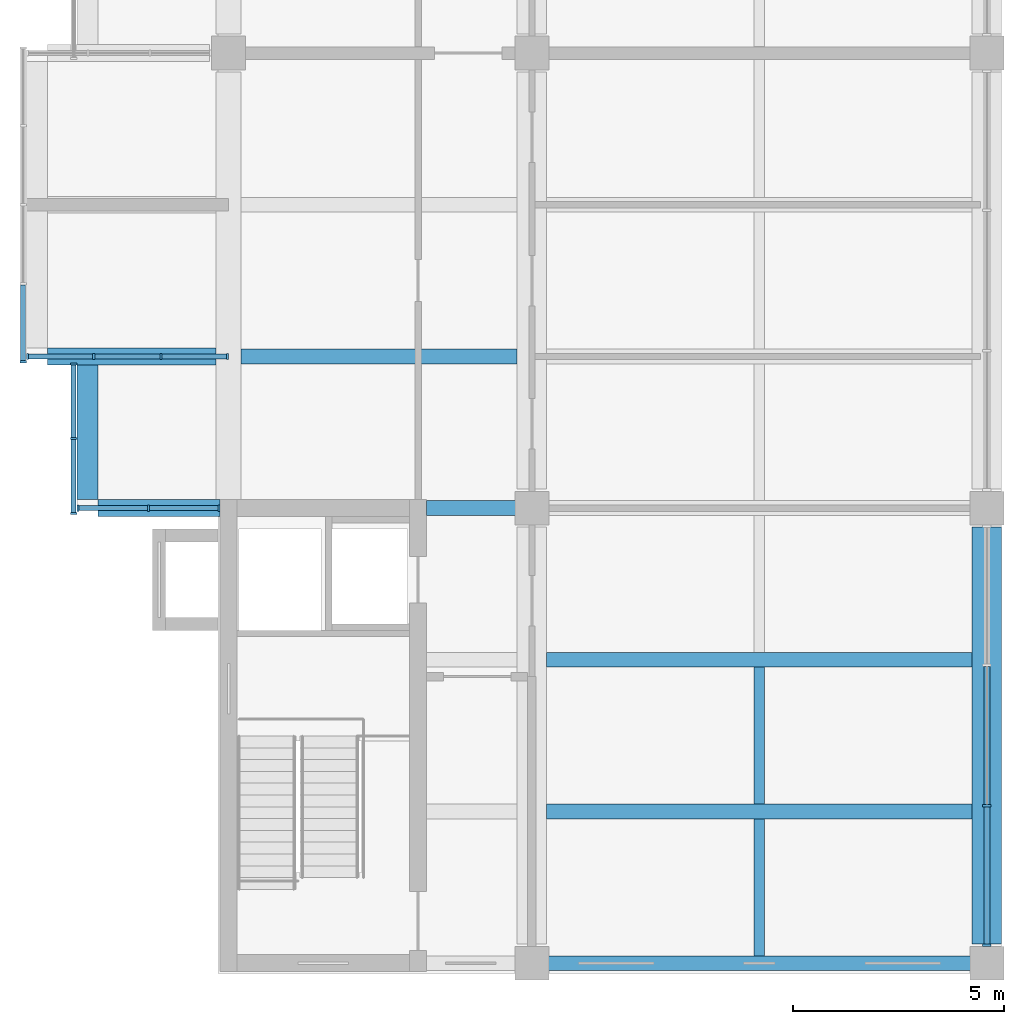
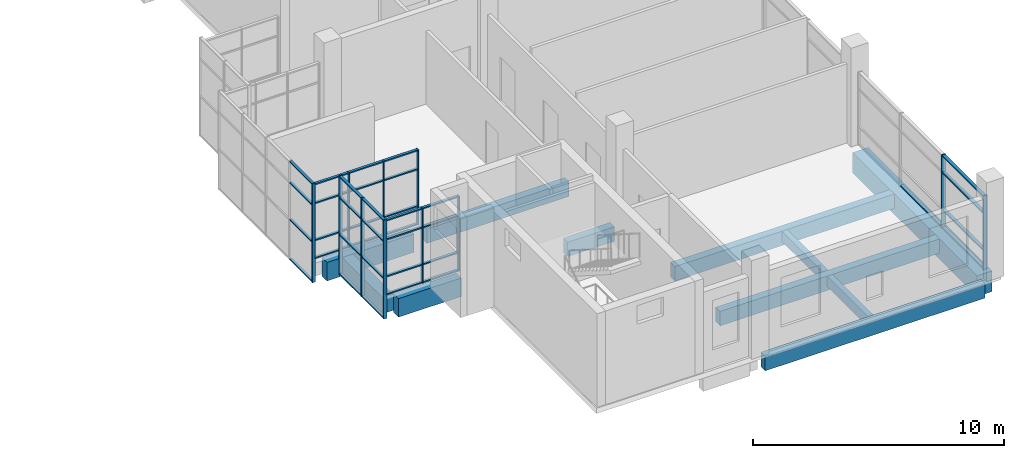
# One storey, part 2 of 14: 50 members, 11 beams, 5 elements without a shape of their own.
"""IFC4 building model written with IfcOpenShell, lengths in metres."""

from ifc_helpers import new_model, si_unit, direction, frame, origin, origin_2d, place, context, subcontext, project, spatial, rectangle, extrude, material, layer, layer_set, material_profile, profile_set, type_object, element, aggregate, save


model = new_model("IFC4")

# Units and contexts
model_context = context("Model", 3, precision=1e-05, world=origin(), true_north=direction((0.0, 1.0)))
body_context = subcontext(model_context, "Body", "Model", "MODEL_VIEW")
ifc_project = project(units=[si_unit("LENGTHUNIT", "METRE"), si_unit("AREAUNIT", "SQUARE_METRE"), si_unit("VOLUMEUNIT", "CUBIC_METRE"), si_unit("PLANEANGLEUNIT", "RADIAN"), si_unit("MASSUNIT", "GRAM", prefix="KILO")], contexts=[model_context])

# Site, building, storey
site_placement = place(None, origin())
site = spatial("IfcSite", under=ifc_project, at=site_placement, CompositionType="ELEMENT")
building_placement = place(site_placement, origin())
building = spatial("IfcBuilding", under=site, at=building_placement, Name="Basin Gate Institute", CompositionType="ELEMENT")
storey_placement = place(building_placement, frame((0.0, 0.0, 60.60009765625)))
storey = spatial("IfcBuildingStorey", under=building, at=storey_placement, Name="L12", CompositionType="ELEMENT", Elevation=60.60009765625)

# Beams
ifc_material_1 = material(Name="Concrete 40 MPa", Category="concrete")
ifc_material_profile_1 = material_profile(ifc_material_1, rectangle(XDim=0.35009765625, YDim=0.699951171875, at=origin_2d()), Name="Beam B1 350 x 700")
ifc_profile_set_1 = profile_set([ifc_material_profile_1], Name="Concrete 40 MPa")
beam_type_1 = type_object("IfcBeamType", Name="Beam B1 R120", PredefinedType="BEAM", material=ifc_profile_set_1)
for number, where, z_axis, x_axis, name in (
    (1, (68.75, 35.10009765625, -0.60009765625), (1.0, 0.0, 0.0), (0.0, 1.0, 0.0), "BEAM/L12/W/EW/01"),
    (2, (68.75, 38.699951171875, -0.60009765625), (1.0, 0.0, 0.0), (0.0, 1.0, 0.0), "BEAM/L12/W/EW/02"),
    (3, (68.75, 42.300048828125, -0.60009765625), (1.0, 0.0, 0.0), (0.0, 1.0, 0.0), "BEAM/L12/W/EW/03"),
):
    element("IfcBeam", number, at=place(storey_placement, frame(where, z_axis=z_axis, x_axis=x_axis)), inside=storey, type_object=beam_type_1, material=ifc_profile_set_1, Name=name, PredefinedType="BEAM", context=body_context, shape_type="SweptSolid", body=[
        extrude(rectangle(XDim=0.35009765625, YDim=0.699951171875, at=origin_2d()), origin(), (0.0, 0.0, 1.0), 10.10009765625),
    ])
beam_1_placement = place(storey_placement, frame((65.89990234375, 45.89990234375, -0.60009765625), z_axis=(1.0, 0.0, 0.0), x_axis=(0.0, 1.0, 0.0)))
element("IfcBeam", 4, at=beam_1_placement, inside=storey, type_object=beam_type_1, material=ifc_profile_set_1, Name="BEAM/L12/W/CORR/04", PredefinedType="BEAM", context=body_context, shape_type="SweptSolid", body=[
    extrude(rectangle(XDim=0.35009765625, YDim=0.699951171875, at=origin_2d()), origin(), (0.0, 0.0, 1.0), 2.150146484375),
])
beam_2_placement = place(storey_placement, frame((61.5, 49.5, -0.60009765625), z_axis=(1.0, 0.0, 0.0), x_axis=(0.0, 1.0, 0.0)))
element("IfcBeam", 5, at=beam_2_placement, inside=storey, type_object=beam_type_1, material=ifc_profile_set_1, Name="BEAM/L12/W/OUT/05", PredefinedType="BEAM", context=body_context, shape_type="SweptSolid", body=[
    extrude(rectangle(XDim=0.35009765625, YDim=0.699951171875, at=origin_2d()), origin(), (0.0, 0.0, 1.0), 6.550048828125),
])
ifc_material_2 = material(Name="Concrete 50 MPa", Category="concrete")
ifc_material_profile_2 = material_profile(ifc_material_2, rectangle(XDim=0.39990234375, YDim=0.89990234375, at=origin_2d()), Name="Cantilever beam B3 400 x 900")
ifc_profile_set_2 = profile_set([ifc_material_profile_2], Name="Concrete 50 MPa")
beam_type_2 = type_object("IfcBeamType", Name="Cantilever beam B3 R120", PredefinedType="BEAM", material=ifc_profile_set_2)
beam_3_placement = place(storey_placement, frame((58.10009765625, 45.89990234375, -0.7001953125), z_axis=(1.0, 0.0, 0.0), x_axis=(0.0, 1.0, 0.0)))
element("IfcBeam", 6, at=beam_3_placement, inside=storey, type_object=beam_type_2, material=ifc_profile_set_2, Name="BEAM/L12/W/CANT/04", PredefinedType="BEAM", context=body_context, shape_type="SweptSolid", body=[
    extrude(rectangle(XDim=0.39990234375, YDim=0.89990234375, at=origin_2d()), origin(), (0.0, 0.0, 1.0), 2.89990234375),
])
beam_4_placement = place(storey_placement, frame((56.89990234375, 49.5, -0.7001953125), z_axis=(1.0, 0.0, 0.0), x_axis=(0.0, 1.0, 0.0)))
element("IfcBeam", 7, at=beam_4_placement, inside=storey, type_object=beam_type_2, material=ifc_profile_set_2, Name="BEAM/L12/W/CANT/05", PredefinedType="BEAM", context=body_context, shape_type="SweptSolid", body=[
    extrude(rectangle(XDim=0.39990234375, YDim=0.89990234375, at=origin_2d()), origin(), (0.0, 0.0, 1.0), 4.0),
])
ifc_material_3 = material(Name="Concrete 50 MPa", Category="concrete")
ifc_material_profile_3 = material_profile(ifc_material_3, rectangle(XDim=0.699951171875, YDim=1.0, at=origin_2d()), Name="Girder G1 700 x 1000")
ifc_profile_set_3 = profile_set([ifc_material_profile_3], Name="Concrete 50 MPa")
beam_type_3 = type_object("IfcBeamType", Name="Girder G1 R120", PredefinedType="BEAM", material=ifc_profile_set_3)
beam_5_placement = place(storey_placement, frame((79.199951171875, 35.550048828125, -0.75), z_axis=(0.0, 1.0, 0.0), x_axis=(-1.0, 0.0, 0.0)))
element("IfcBeam", 8, at=beam_5_placement, inside=storey, type_object=beam_type_3, material=ifc_profile_set_3, Name="GIR/L12/W6/1", PredefinedType="BEAM", context=body_context, shape_type="SweptSolid", body=[
    extrude(rectangle(XDim=0.699951171875, YDim=1.0, at=origin_2d()), origin(), (0.0, 0.0, 1.0), 9.89990234375),
])

# Curtain wall, members
ifc_material_4 = material(Name="Aluminium-framed glazing", Category="aluminium")
ifc_layer_1 = layer(ifc_material_4, 0.14990234375)
ifc_layer_set_1 = layer_set([ifc_layer_1], Name="Capsule front curtain wall CW1")
curtain_wall_type_1 = type_object("IfcCurtainWallType", Name="Capsule front curtain wall CW1", PredefinedType="NOTDEFINED", material=ifc_layer_set_1)
curtain_wall_1_placement = place(storey_placement, origin())
curtain_wall_1 = element("IfcCurtainWall", 9, at=curtain_wall_1_placement, inside=storey, type_object=curtain_wall_type_1, material=ifc_layer_set_1, Name="Capsule front curtain wall W wing capsule end L12 line 4", PredefinedType="NOTDEFINED")
ifc_material_5 = material(Name="Aluminium", Category="aluminium")
ifc_material_profile_4 = material_profile(ifc_material_5, rectangle(XDim=0.14990234375, YDim=0.050048828125, at=origin_2d()), Name="Mullion MU1 150 x 50")
ifc_profile_set_4 = profile_set([ifc_material_profile_4], Name="Aluminium")
member_type_1 = type_object("IfcMemberType", Name="Mullion MU1", PredefinedType="MULLION", material=ifc_profile_set_4)
member_1_placement = place(storey_placement, frame((57.625, 45.89990234375, 0.0), z_axis=(0.0, 0.0, 1.0), x_axis=(0.0, 1.0, 0.0)))
member_1 = element("IfcMember", 10, at=member_1_placement, type_object=member_type_1, material=ifc_profile_set_4, Name="CW1 mullion 1", PredefinedType="MULLION", context=body_context, shape_type="SweptSolid", body=[
    extrude(rectangle(XDim=0.14990234375, YDim=0.050048828125, at=origin_2d()), origin(), (0.0, 0.0, 1.0), 3.64990234375),
])
member_2_placement = place(storey_placement, frame((59.300048828125, 45.89990234375, 0.0), z_axis=(0.0, 0.0, 1.0), x_axis=(0.0, 1.0, 0.0)))
member_2 = element("IfcMember", 11, at=member_2_placement, type_object=member_type_1, material=ifc_profile_set_4, Name="CW1 mullion 2", PredefinedType="MULLION", context=body_context, shape_type="SweptSolid", body=[
    extrude(rectangle(XDim=0.14990234375, YDim=0.050048828125, at=origin_2d()), origin(), (0.0, 0.0, 1.0), 3.64990234375),
])
member_3_placement = place(storey_placement, frame((60.97509765625, 45.89990234375, 0.0), z_axis=(0.0, 0.0, 1.0), x_axis=(0.0, 1.0, 0.0)))
member_3 = element("IfcMember", 12, at=member_3_placement, type_object=member_type_1, material=ifc_profile_set_4, Name="CW1 mullion 3", PredefinedType="MULLION", context=body_context, shape_type="SweptSolid", body=[
    extrude(rectangle(XDim=0.14990234375, YDim=0.050048828125, at=origin_2d()), origin(), (0.0, 0.0, 1.0), 3.64990234375),
])

curtain_wall_2_placement = place(storey_placement, origin())
curtain_wall_2 = element("IfcCurtainWall", 13, at=curtain_wall_2_placement, inside=storey, type_object=curtain_wall_type_1, material=ifc_layer_set_1, Name="Capsule front curtain wall W wing capsule end L12 line 5", PredefinedType="NOTDEFINED")
member_4_placement = place(storey_placement, frame((56.425048828125, 49.5, 0.0), z_axis=(0.0, 0.0, 1.0), x_axis=(0.0, 1.0, 0.0)))
member_4 = element("IfcMember", 14, at=member_4_placement, type_object=member_type_1, material=ifc_profile_set_4, Name="CW1 mullion 1", PredefinedType="MULLION", context=body_context, shape_type="SweptSolid", body=[
    extrude(rectangle(XDim=0.14990234375, YDim=0.050048828125, at=origin_2d()), origin(), (0.0, 0.0, 1.0), 3.64990234375),
])
member_5_placement = place(storey_placement, frame((58.0, 49.5, 0.0), z_axis=(0.0, 0.0, 1.0), x_axis=(0.0, 1.0, 0.0)))
member_5 = element("IfcMember", 15, at=member_5_placement, type_object=member_type_1, material=ifc_profile_set_4, Name="CW1 mullion 2", PredefinedType="MULLION", context=body_context, shape_type="SweptSolid", body=[
    extrude(rectangle(XDim=0.14990234375, YDim=0.050048828125, at=origin_2d()), origin(), (0.0, 0.0, 1.0), 3.64990234375),
])
member_6_placement = place(storey_placement, frame((59.60009765625, 49.5, 0.0), z_axis=(0.0, 0.0, 1.0), x_axis=(0.0, 1.0, 0.0)))
member_6 = element("IfcMember", 16, at=member_6_placement, type_object=member_type_1, material=ifc_profile_set_4, Name="CW1 mullion 3", PredefinedType="MULLION", context=body_context, shape_type="SweptSolid", body=[
    extrude(rectangle(XDim=0.14990234375, YDim=0.050048828125, at=origin_2d()), origin(), (0.0, 0.0, 1.0), 3.64990234375),
])
member_7_placement = place(storey_placement, frame((61.175048828125, 49.5, 0.0), z_axis=(0.0, 0.0, 1.0), x_axis=(0.0, 1.0, 0.0)))
member_7 = element("IfcMember", 17, at=member_7_placement, type_object=member_type_1, material=ifc_profile_set_4, Name="CW1 mullion 4", PredefinedType="MULLION", context=body_context, shape_type="SweptSolid", body=[
    extrude(rectangle(XDim=0.14990234375, YDim=0.050048828125, at=origin_2d()), origin(), (0.0, 0.0, 1.0), 3.64990234375),
])

curtain_wall_3_placement = place(storey_placement, origin())
curtain_wall_3 = element("IfcCurtainWall", 18, at=curtain_wall_3_placement, inside=storey, type_object=curtain_wall_type_1, material=ifc_layer_set_1, Name="Capsule front curtain wall W wing capsule 1 L12 front 1", PredefinedType="NOTDEFINED")
member_8_placement = place(storey_placement, frame((57.52490234375, 45.77490234375, -1.050048828125), z_axis=(0.0, 0.0, 1.0), x_axis=(-1.0, 0.0, 0.0)))
member_8 = element("IfcMember", 19, at=member_8_placement, type_object=member_type_1, material=ifc_profile_set_4, Name="CW1 mullion 1", PredefinedType="MULLION", context=body_context, shape_type="SweptSolid", body=[
    extrude(rectangle(XDim=0.14990234375, YDim=0.050048828125, at=origin_2d()), origin(), (0.0, 0.0, 1.0), 4.800048828125),
])
member_9_placement = place(storey_placement, frame((57.52490234375, 47.550048828125, -1.050048828125), z_axis=(0.0, 0.0, 1.0), x_axis=(-1.0, 0.0, 0.0)))
member_9 = element("IfcMember", 20, at=member_9_placement, type_object=member_type_1, material=ifc_profile_set_4, Name="CW1 mullion 2", PredefinedType="MULLION", context=body_context, shape_type="SweptSolid", body=[
    extrude(rectangle(XDim=0.14990234375, YDim=0.050048828125, at=origin_2d()), origin(), (0.0, 0.0, 1.0), 4.800048828125),
])
member_10_placement = place(storey_placement, frame((57.52490234375, 49.324951171875, -1.050048828125), z_axis=(0.0, 0.0, 1.0), x_axis=(-1.0, 0.0, 0.0)))
member_10 = element("IfcMember", 21, at=member_10_placement, type_object=member_type_1, material=ifc_profile_set_4, Name="CW1 mullion 3", PredefinedType="MULLION", context=body_context, shape_type="SweptSolid", body=[
    extrude(rectangle(XDim=0.14990234375, YDim=0.050048828125, at=origin_2d()), origin(), (0.0, 0.0, 1.0), 4.800048828125),
])

# Curtain wall, member
curtain_wall_4_placement = place(storey_placement, origin())
curtain_wall_4 = element("IfcCurtainWall", 22, at=curtain_wall_4_placement, inside=storey, type_object=curtain_wall_type_1, material=ifc_layer_set_1, Name="Capsule front curtain wall W wing capsule 1 L12 front 2", PredefinedType="NOTDEFINED")
member_11_placement = place(storey_placement, frame((56.324951171875, 49.375, -1.050048828125), z_axis=(0.0, 0.0, 1.0), x_axis=(-1.0, 0.0, 0.0)))
member_11 = element("IfcMember", 23, at=member_11_placement, type_object=member_type_1, material=ifc_profile_set_4, Name="CW1 mullion 1", PredefinedType="MULLION", context=body_context, shape_type="SweptSolid", body=[
    extrude(rectangle(XDim=0.14990234375, YDim=0.050048828125, at=origin_2d()), origin(), (0.0, 0.0, 1.0), 4.800048828125),
])

# Curtain wall, members
ifc_material_6 = material(Name="Aluminium-framed glazing", Category="aluminium")
ifc_layer_2 = layer(ifc_material_6, 0.199951171875)
ifc_layer_set_2 = layer_set([ifc_layer_2], Name="Atrium curtain wall CW2")
curtain_wall_type_2 = type_object("IfcCurtainWallType", Name="Atrium curtain wall CW2", PredefinedType="NOTDEFINED", material=ifc_layer_set_2)
curtain_wall_5_placement = place(storey_placement, origin())
curtain_wall_5 = element("IfcCurtainWall", 24, at=curtain_wall_5_placement, inside=storey, type_object=curtain_wall_type_2, material=ifc_layer_set_2, Name="Atrium curtain wall W wing atrium bay 1 L12", PredefinedType="NOTDEFINED")
ifc_material_7 = material(Name="Aluminium", Category="aluminium")
ifc_material_profile_5 = material_profile(ifc_material_7, rectangle(XDim=0.199951171875, YDim=0.06005859375, at=origin_2d()), Name="Mullion MU2 200 x 60")
ifc_profile_set_5 = profile_set([ifc_material_profile_5], Name="Aluminium")
member_type_2 = type_object("IfcMemberType", Name="Mullion MU2", PredefinedType="MULLION", material=ifc_profile_set_5)
member_12_placement = place(storey_placement, frame((79.199951171875, 35.530029296875, 0.0), z_axis=(0.0, 0.0, 1.0), x_axis=(-1.0, 0.0, 0.0)))
member_12 = element("IfcMember", 25, at=member_12_placement, type_object=member_type_2, material=ifc_profile_set_5, Name="CW2 mullion 1", PredefinedType="MULLION", context=body_context, shape_type="SweptSolid", body=[
    extrude(rectangle(XDim=0.199951171875, YDim=0.06005859375, at=origin_2d()), origin(), (0.0, 0.0, 1.0), 3.5498046875),
])
member_13_placement = place(storey_placement, frame((79.199951171875, 38.833251953125, 0.0), z_axis=(0.0, 0.0, 1.0), x_axis=(-1.0, 0.0, 0.0)))
member_13 = element("IfcMember", 26, at=member_13_placement, type_object=member_type_2, material=ifc_profile_set_5, Name="CW2 mullion 2", PredefinedType="MULLION", context=body_context, shape_type="SweptSolid", body=[
    extrude(rectangle(XDim=0.199951171875, YDim=0.06005859375, at=origin_2d()), origin(), (0.0, 0.0, 1.0), 3.5498046875),
])

# Beams
ifc_material_8 = material(Name="Concrete 40 MPa", Category="concrete")
ifc_material_profile_6 = material_profile(ifc_material_8, rectangle(XDim=0.25, YDim=0.5, at=origin_2d()), Name="Rib R1 250 x 500")
ifc_profile_set_6 = profile_set([ifc_material_profile_6], Name="Concrete 40 MPa")
beam_type_4 = type_object("IfcBeamType", Name="Rib R1 R120", PredefinedType="JOIST", material=ifc_profile_set_6)
for number, where, z_axis, x_axis, name in (
    (27, (73.800048828125, 35.27490234375, -0.5), (0.0, 1.0, 0.0), (-1.0, 0.0, 0.0), "BEAM/L12/W/RIB/01"),
    (28, (73.800048828125, 38.875, -0.5), (0.0, 1.0, 0.0), (-1.0, 0.0, 0.0), "BEAM/L12/W/RIB/02"),
):
    element("IfcBeam", number, at=place(storey_placement, frame(where, z_axis=z_axis, x_axis=x_axis)), inside=storey, type_object=beam_type_4, material=ifc_profile_set_6, Name=name, PredefinedType="JOIST", context=body_context, shape_type="SweptSolid", body=[
        extrude(rectangle(XDim=0.25, YDim=0.5, at=origin_2d()), origin(), (0.0, 0.0, 1.0), 3.25),
    ])
ifc_material_9 = material(Name="Concrete 50 MPa", Category="concrete")
ifc_material_profile_7 = material_profile(ifc_material_9, rectangle(XDim=0.5, YDim=0.800048828125, at=origin_2d()), Name="Tip beam TB1 500 x 800")
ifc_profile_set_7 = profile_set([ifc_material_profile_7], Name="Concrete 50 MPa")
beam_type_5 = type_object("IfcBeamType", Name="Tip beam TB1 R120", PredefinedType="SPANDREL", material=ifc_profile_set_7)
beam_6_placement = place(storey_placement, frame((57.85009765625, 46.10009765625, -0.650146484375), z_axis=(0.0, 1.0, 0.0), x_axis=(-1.0, 0.0, 0.0)))
element("IfcBeam", 29, at=beam_6_placement, inside=storey, type_object=beam_type_5, material=ifc_profile_set_7, Name="BEAM/L12/W/TIP/1", PredefinedType="SPANDREL", context=body_context, shape_type="SweptSolid", body=[
    extrude(rectangle(XDim=0.5, YDim=0.800048828125, at=origin_2d()), origin(), (0.0, 0.0, 1.0), 3.199951171875),
])

# Member
ifc_material_10 = material(Name="Aluminium", Category="aluminium")
ifc_material_profile_8 = material_profile(ifc_material_10, rectangle(XDim=0.1201171875, YDim=0.06005859375, at=origin_2d()), Name="Transom TR1 120 x 60")
ifc_profile_set_8 = profile_set([ifc_material_profile_8], Name="Aluminium")
member_type_3 = type_object("IfcMemberType", Name="Transom TR1", PredefinedType="USERDEFINED", material=ifc_profile_set_8)
member_14_placement = place(storey_placement, frame((57.64990234375, 45.89990234375, 0.02978515625), z_axis=(1.0, 0.0, 0.0), x_axis=(0.0, 1.0, 0.0)))
member_14 = element("IfcMember", 30, at=member_14_placement, type_object=member_type_3, material=ifc_profile_set_8, Name="CW1 transom 1.1", ObjectType="TRANSOM", PredefinedType="USERDEFINED", context=body_context, shape_type="SweptSolid", body=[
    extrude(rectangle(XDim=0.1201171875, YDim=0.06005859375, at=origin_2d()), origin(), (0.0, 0.0, 1.0), 1.625),
])

member_15_placement = place(storey_placement, frame((57.64990234375, 45.89990234375, 0.89990234375), z_axis=(1.0, 0.0, 0.0), x_axis=(0.0, 1.0, 0.0)))
member_15 = element("IfcMember", 31, at=member_15_placement, type_object=member_type_3, material=ifc_profile_set_8, Name="CW1 transom 1.2", ObjectType="TRANSOM", PredefinedType="USERDEFINED", context=body_context, shape_type="SweptSolid", body=[
    extrude(rectangle(XDim=0.1201171875, YDim=0.06005859375, at=origin_2d()), origin(), (0.0, 0.0, 1.0), 1.625),
])

member_16_placement = place(storey_placement, frame((57.64990234375, 45.89990234375, 2.699951171875), z_axis=(1.0, 0.0, 0.0), x_axis=(0.0, 1.0, 0.0)))
member_16 = element("IfcMember", 32, at=member_16_placement, type_object=member_type_3, material=ifc_profile_set_8, Name="CW1 transom 1.3", ObjectType="TRANSOM", PredefinedType="USERDEFINED", context=body_context, shape_type="SweptSolid", body=[
    extrude(rectangle(XDim=0.1201171875, YDim=0.06005859375, at=origin_2d()), origin(), (0.0, 0.0, 1.0), 1.625),
])

member_17_placement = place(storey_placement, frame((57.64990234375, 45.89990234375, 3.619873046875), z_axis=(1.0, 0.0, 0.0), x_axis=(0.0, 1.0, 0.0)))
member_17 = element("IfcMember", 33, at=member_17_placement, type_object=member_type_3, material=ifc_profile_set_8, Name="CW1 transom 1.4", ObjectType="TRANSOM", PredefinedType="USERDEFINED", context=body_context, shape_type="SweptSolid", body=[
    extrude(rectangle(XDim=0.1201171875, YDim=0.06005859375, at=origin_2d()), origin(), (0.0, 0.0, 1.0), 1.625),
])

member_18_placement = place(storey_placement, frame((59.324951171875, 45.89990234375, 0.02978515625), z_axis=(1.0, 0.0, 0.0), x_axis=(0.0, 1.0, 0.0)))
member_18 = element("IfcMember", 34, at=member_18_placement, type_object=member_type_3, material=ifc_profile_set_8, Name="CW1 transom 2.1", ObjectType="TRANSOM", PredefinedType="USERDEFINED", context=body_context, shape_type="SweptSolid", body=[
    extrude(rectangle(XDim=0.1201171875, YDim=0.06005859375, at=origin_2d()), origin(), (0.0, 0.0, 1.0), 1.625),
])

member_19_placement = place(storey_placement, frame((59.324951171875, 45.89990234375, 0.89990234375), z_axis=(1.0, 0.0, 0.0), x_axis=(0.0, 1.0, 0.0)))
member_19 = element("IfcMember", 35, at=member_19_placement, type_object=member_type_3, material=ifc_profile_set_8, Name="CW1 transom 2.2", ObjectType="TRANSOM", PredefinedType="USERDEFINED", context=body_context, shape_type="SweptSolid", body=[
    extrude(rectangle(XDim=0.1201171875, YDim=0.06005859375, at=origin_2d()), origin(), (0.0, 0.0, 1.0), 1.625),
])

member_20_placement = place(storey_placement, frame((59.324951171875, 45.89990234375, 2.699951171875), z_axis=(1.0, 0.0, 0.0), x_axis=(0.0, 1.0, 0.0)))
member_20 = element("IfcMember", 36, at=member_20_placement, type_object=member_type_3, material=ifc_profile_set_8, Name="CW1 transom 2.3", ObjectType="TRANSOM", PredefinedType="USERDEFINED", context=body_context, shape_type="SweptSolid", body=[
    extrude(rectangle(XDim=0.1201171875, YDim=0.06005859375, at=origin_2d()), origin(), (0.0, 0.0, 1.0), 1.625),
])

member_21_placement = place(storey_placement, frame((59.324951171875, 45.89990234375, 3.619873046875), z_axis=(1.0, 0.0, 0.0), x_axis=(0.0, 1.0, 0.0)))
member_21 = element("IfcMember", 37, at=member_21_placement, type_object=member_type_3, material=ifc_profile_set_8, Name="CW1 transom 2.4", ObjectType="TRANSOM", PredefinedType="USERDEFINED", context=body_context, shape_type="SweptSolid", body=[
    extrude(rectangle(XDim=0.1201171875, YDim=0.06005859375, at=origin_2d()), origin(), (0.0, 0.0, 1.0), 1.625),
])

aggregate(curtain_wall_1, [member_1, member_2, member_3, member_14, member_15, member_16, member_17, member_18, member_19, member_20, member_21])

member_22_placement = place(storey_placement, frame((56.449951171875, 49.5, 0.02978515625), z_axis=(1.0, 0.0, 0.0), x_axis=(0.0, 1.0, 0.0)))
member_22 = element("IfcMember", 38, at=member_22_placement, type_object=member_type_3, material=ifc_profile_set_8, Name="CW1 transom 1.1", ObjectType="TRANSOM", PredefinedType="USERDEFINED", context=body_context, shape_type="SweptSolid", body=[
    extrude(rectangle(XDim=0.1201171875, YDim=0.06005859375, at=origin_2d()), origin(), (0.0, 0.0, 1.0), 1.525146484375),
])

member_23_placement = place(storey_placement, frame((56.449951171875, 49.5, 0.89990234375), z_axis=(1.0, 0.0, 0.0), x_axis=(0.0, 1.0, 0.0)))
member_23 = element("IfcMember", 39, at=member_23_placement, type_object=member_type_3, material=ifc_profile_set_8, Name="CW1 transom 1.2", ObjectType="TRANSOM", PredefinedType="USERDEFINED", context=body_context, shape_type="SweptSolid", body=[
    extrude(rectangle(XDim=0.1201171875, YDim=0.06005859375, at=origin_2d()), origin(), (0.0, 0.0, 1.0), 1.525146484375),
])

member_24_placement = place(storey_placement, frame((56.449951171875, 49.5, 2.699951171875), z_axis=(1.0, 0.0, 0.0), x_axis=(0.0, 1.0, 0.0)))
member_24 = element("IfcMember", 40, at=member_24_placement, type_object=member_type_3, material=ifc_profile_set_8, Name="CW1 transom 1.3", ObjectType="TRANSOM", PredefinedType="USERDEFINED", context=body_context, shape_type="SweptSolid", body=[
    extrude(rectangle(XDim=0.1201171875, YDim=0.06005859375, at=origin_2d()), origin(), (0.0, 0.0, 1.0), 1.525146484375),
])

member_25_placement = place(storey_placement, frame((56.449951171875, 49.5, 3.619873046875), z_axis=(1.0, 0.0, 0.0), x_axis=(0.0, 1.0, 0.0)))
member_25 = element("IfcMember", 41, at=member_25_placement, type_object=member_type_3, material=ifc_profile_set_8, Name="CW1 transom 1.4", ObjectType="TRANSOM", PredefinedType="USERDEFINED", context=body_context, shape_type="SweptSolid", body=[
    extrude(rectangle(XDim=0.1201171875, YDim=0.06005859375, at=origin_2d()), origin(), (0.0, 0.0, 1.0), 1.525146484375),
])

member_26_placement = place(storey_placement, frame((58.02490234375, 49.5, 0.02978515625), z_axis=(1.0, 0.0, 0.0), x_axis=(0.0, 1.0, 0.0)))
member_26 = element("IfcMember", 42, at=member_26_placement, type_object=member_type_3, material=ifc_profile_set_8, Name="CW1 transom 2.1", ObjectType="TRANSOM", PredefinedType="USERDEFINED", context=body_context, shape_type="SweptSolid", body=[
    extrude(rectangle(XDim=0.1201171875, YDim=0.06005859375, at=origin_2d()), origin(), (0.0, 0.0, 1.0), 1.550048828125),
])

member_27_placement = place(storey_placement, frame((58.02490234375, 49.5, 0.89990234375), z_axis=(1.0, 0.0, 0.0), x_axis=(0.0, 1.0, 0.0)))
member_27 = element("IfcMember", 43, at=member_27_placement, type_object=member_type_3, material=ifc_profile_set_8, Name="CW1 transom 2.2", ObjectType="TRANSOM", PredefinedType="USERDEFINED", context=body_context, shape_type="SweptSolid", body=[
    extrude(rectangle(XDim=0.1201171875, YDim=0.06005859375, at=origin_2d()), origin(), (0.0, 0.0, 1.0), 1.550048828125),
])

member_28_placement = place(storey_placement, frame((58.02490234375, 49.5, 2.699951171875), z_axis=(1.0, 0.0, 0.0), x_axis=(0.0, 1.0, 0.0)))
member_28 = element("IfcMember", 44, at=member_28_placement, type_object=member_type_3, material=ifc_profile_set_8, Name="CW1 transom 2.3", ObjectType="TRANSOM", PredefinedType="USERDEFINED", context=body_context, shape_type="SweptSolid", body=[
    extrude(rectangle(XDim=0.1201171875, YDim=0.06005859375, at=origin_2d()), origin(), (0.0, 0.0, 1.0), 1.550048828125),
])

member_29_placement = place(storey_placement, frame((58.02490234375, 49.5, 3.619873046875), z_axis=(1.0, 0.0, 0.0), x_axis=(0.0, 1.0, 0.0)))
member_29 = element("IfcMember", 45, at=member_29_placement, type_object=member_type_3, material=ifc_profile_set_8, Name="CW1 transom 2.4", ObjectType="TRANSOM", PredefinedType="USERDEFINED", context=body_context, shape_type="SweptSolid", body=[
    extrude(rectangle(XDim=0.1201171875, YDim=0.06005859375, at=origin_2d()), origin(), (0.0, 0.0, 1.0), 1.550048828125),
])

member_30_placement = place(storey_placement, frame((59.625, 49.5, 0.02978515625), z_axis=(1.0, 0.0, 0.0), x_axis=(0.0, 1.0, 0.0)))
member_30 = element("IfcMember", 46, at=member_30_placement, type_object=member_type_3, material=ifc_profile_set_8, Name="CW1 transom 3.1", ObjectType="TRANSOM", PredefinedType="USERDEFINED", context=body_context, shape_type="SweptSolid", body=[
    extrude(rectangle(XDim=0.1201171875, YDim=0.06005859375, at=origin_2d()), origin(), (0.0, 0.0, 1.0), 1.52490234375),
])

member_31_placement = place(storey_placement, frame((59.625, 49.5, 0.89990234375), z_axis=(1.0, 0.0, 0.0), x_axis=(0.0, 1.0, 0.0)))
member_31 = element("IfcMember", 47, at=member_31_placement, type_object=member_type_3, material=ifc_profile_set_8, Name="CW1 transom 3.2", ObjectType="TRANSOM", PredefinedType="USERDEFINED", context=body_context, shape_type="SweptSolid", body=[
    extrude(rectangle(XDim=0.1201171875, YDim=0.06005859375, at=origin_2d()), origin(), (0.0, 0.0, 1.0), 1.52490234375),
])

member_32_placement = place(storey_placement, frame((59.625, 49.5, 2.699951171875), z_axis=(1.0, 0.0, 0.0), x_axis=(0.0, 1.0, 0.0)))
member_32 = element("IfcMember", 48, at=member_32_placement, type_object=member_type_3, material=ifc_profile_set_8, Name="CW1 transom 3.3", ObjectType="TRANSOM", PredefinedType="USERDEFINED", context=body_context, shape_type="SweptSolid", body=[
    extrude(rectangle(XDim=0.1201171875, YDim=0.06005859375, at=origin_2d()), origin(), (0.0, 0.0, 1.0), 1.52490234375),
])

member_33_placement = place(storey_placement, frame((59.625, 49.5, 3.619873046875), z_axis=(1.0, 0.0, 0.0), x_axis=(0.0, 1.0, 0.0)))
member_33 = element("IfcMember", 49, at=member_33_placement, type_object=member_type_3, material=ifc_profile_set_8, Name="CW1 transom 3.4", ObjectType="TRANSOM", PredefinedType="USERDEFINED", context=body_context, shape_type="SweptSolid", body=[
    extrude(rectangle(XDim=0.1201171875, YDim=0.06005859375, at=origin_2d()), origin(), (0.0, 0.0, 1.0), 1.52490234375),
])

aggregate(curtain_wall_2, [member_4, member_5, member_6, member_7, member_22, member_23, member_24, member_25, member_26, member_27, member_28, member_29, member_30, member_31, member_32, member_33])

member_34_placement = place(storey_placement, frame((57.52490234375, 45.800048828125, -1.02001953125), z_axis=(0.0, 1.0, 0.0), x_axis=(-1.0, 0.0, 0.0)))
member_34 = element("IfcMember", 50, at=member_34_placement, type_object=member_type_3, material=ifc_profile_set_8, Name="CW1 transom 1.1", ObjectType="TRANSOM", PredefinedType="USERDEFINED", context=body_context, shape_type="SweptSolid", body=[
    extrude(rectangle(XDim=0.1201171875, YDim=0.06005859375, at=origin_2d()), origin(), (0.0, 0.0, 1.0), 1.724853515625),
])

member_35_placement = place(storey_placement, frame((57.52490234375, 45.800048828125, 0.89990234375), z_axis=(0.0, 1.0, 0.0), x_axis=(-1.0, 0.0, 0.0)))
member_35 = element("IfcMember", 51, at=member_35_placement, type_object=member_type_3, material=ifc_profile_set_8, Name="CW1 transom 1.2", ObjectType="TRANSOM", PredefinedType="USERDEFINED", context=body_context, shape_type="SweptSolid", body=[
    extrude(rectangle(XDim=0.1201171875, YDim=0.06005859375, at=origin_2d()), origin(), (0.0, 0.0, 1.0), 1.724853515625),
])

member_36_placement = place(storey_placement, frame((57.52490234375, 45.800048828125, 2.699951171875), z_axis=(0.0, 1.0, 0.0), x_axis=(-1.0, 0.0, 0.0)))
member_36 = element("IfcMember", 52, at=member_36_placement, type_object=member_type_3, material=ifc_profile_set_8, Name="CW1 transom 1.3", ObjectType="TRANSOM", PredefinedType="USERDEFINED", context=body_context, shape_type="SweptSolid", body=[
    extrude(rectangle(XDim=0.1201171875, YDim=0.06005859375, at=origin_2d()), origin(), (0.0, 0.0, 1.0), 1.724853515625),
])

member_37_placement = place(storey_placement, frame((57.52490234375, 45.800048828125, 3.719970703125), z_axis=(0.0, 1.0, 0.0), x_axis=(-1.0, 0.0, 0.0)))
member_37 = element("IfcMember", 53, at=member_37_placement, type_object=member_type_3, material=ifc_profile_set_8, Name="CW1 transom 1.4", ObjectType="TRANSOM", PredefinedType="USERDEFINED", context=body_context, shape_type="SweptSolid", body=[
    extrude(rectangle(XDim=0.1201171875, YDim=0.06005859375, at=origin_2d()), origin(), (0.0, 0.0, 1.0), 1.724853515625),
])

member_38_placement = place(storey_placement, frame((57.52490234375, 47.574951171875, -1.02001953125), z_axis=(0.0, 1.0, 0.0), x_axis=(-1.0, 0.0, 0.0)))
member_38 = element("IfcMember", 54, at=member_38_placement, type_object=member_type_3, material=ifc_profile_set_8, Name="CW1 transom 2.1", ObjectType="TRANSOM", PredefinedType="USERDEFINED", context=body_context, shape_type="SweptSolid", body=[
    extrude(rectangle(XDim=0.1201171875, YDim=0.06005859375, at=origin_2d()), origin(), (0.0, 0.0, 1.0), 1.72509765625),
])

member_39_placement = place(storey_placement, frame((57.52490234375, 47.574951171875, 0.89990234375), z_axis=(0.0, 1.0, 0.0), x_axis=(-1.0, 0.0, 0.0)))
member_39 = element("IfcMember", 55, at=member_39_placement, type_object=member_type_3, material=ifc_profile_set_8, Name="CW1 transom 2.2", ObjectType="TRANSOM", PredefinedType="USERDEFINED", context=body_context, shape_type="SweptSolid", body=[
    extrude(rectangle(XDim=0.1201171875, YDim=0.06005859375, at=origin_2d()), origin(), (0.0, 0.0, 1.0), 1.72509765625),
])

member_40_placement = place(storey_placement, frame((57.52490234375, 47.574951171875, 2.699951171875), z_axis=(0.0, 1.0, 0.0), x_axis=(-1.0, 0.0, 0.0)))
member_40 = element("IfcMember", 56, at=member_40_placement, type_object=member_type_3, material=ifc_profile_set_8, Name="CW1 transom 2.3", ObjectType="TRANSOM", PredefinedType="USERDEFINED", context=body_context, shape_type="SweptSolid", body=[
    extrude(rectangle(XDim=0.1201171875, YDim=0.06005859375, at=origin_2d()), origin(), (0.0, 0.0, 1.0), 1.72509765625),
])

member_41_placement = place(storey_placement, frame((57.52490234375, 47.574951171875, 3.719970703125), z_axis=(0.0, 1.0, 0.0), x_axis=(-1.0, 0.0, 0.0)))
member_41 = element("IfcMember", 57, at=member_41_placement, type_object=member_type_3, material=ifc_profile_set_8, Name="CW1 transom 2.4", ObjectType="TRANSOM", PredefinedType="USERDEFINED", context=body_context, shape_type="SweptSolid", body=[
    extrude(rectangle(XDim=0.1201171875, YDim=0.06005859375, at=origin_2d()), origin(), (0.0, 0.0, 1.0), 1.72509765625),
])

aggregate(curtain_wall_3, [member_8, member_9, member_10, member_34, member_35, member_36, member_37, member_38, member_39, member_40, member_41])

member_42_placement = place(storey_placement, frame((56.324951171875, 49.39990234375, -1.02001953125), z_axis=(0.0, 1.0, 0.0), x_axis=(-1.0, 0.0, 0.0)))
member_42 = element("IfcMember", 58, at=member_42_placement, type_object=member_type_3, material=ifc_profile_set_8, Name="CW1 transom 1.1", ObjectType="TRANSOM", PredefinedType="USERDEFINED", context=body_context, shape_type="SweptSolid", body=[
    extrude(rectangle(XDim=0.1201171875, YDim=0.06005859375, at=origin_2d()), origin(), (0.0, 0.0, 1.0), 1.800048828125),
])

member_43_placement = place(storey_placement, frame((56.324951171875, 49.39990234375, 0.89990234375), z_axis=(0.0, 1.0, 0.0), x_axis=(-1.0, 0.0, 0.0)))
member_43 = element("IfcMember", 59, at=member_43_placement, type_object=member_type_3, material=ifc_profile_set_8, Name="CW1 transom 1.2", ObjectType="TRANSOM", PredefinedType="USERDEFINED", context=body_context, shape_type="SweptSolid", body=[
    extrude(rectangle(XDim=0.1201171875, YDim=0.06005859375, at=origin_2d()), origin(), (0.0, 0.0, 1.0), 1.800048828125),
])

member_44_placement = place(storey_placement, frame((56.324951171875, 49.39990234375, 2.699951171875), z_axis=(0.0, 1.0, 0.0), x_axis=(-1.0, 0.0, 0.0)))
member_44 = element("IfcMember", 60, at=member_44_placement, type_object=member_type_3, material=ifc_profile_set_8, Name="CW1 transom 1.3", ObjectType="TRANSOM", PredefinedType="USERDEFINED", context=body_context, shape_type="SweptSolid", body=[
    extrude(rectangle(XDim=0.1201171875, YDim=0.06005859375, at=origin_2d()), origin(), (0.0, 0.0, 1.0), 1.800048828125),
])

member_45_placement = place(storey_placement, frame((56.324951171875, 49.39990234375, 3.719970703125), z_axis=(0.0, 1.0, 0.0), x_axis=(-1.0, 0.0, 0.0)))
member_45 = element("IfcMember", 61, at=member_45_placement, type_object=member_type_3, material=ifc_profile_set_8, Name="CW1 transom 1.4", ObjectType="TRANSOM", PredefinedType="USERDEFINED", context=body_context, shape_type="SweptSolid", body=[
    extrude(rectangle(XDim=0.1201171875, YDim=0.06005859375, at=origin_2d()), origin(), (0.0, 0.0, 1.0), 1.800048828125),
])

aggregate(curtain_wall_4, [member_11, member_42, member_43, member_44, member_45])

ifc_material_11 = material(Name="Aluminium", Category="aluminium")
ifc_material_profile_9 = material_profile(ifc_material_11, rectangle(XDim=0.14990234375, YDim=0.06005859375, at=origin_2d()), Name="Transom TR2 150 x 60")
ifc_profile_set_9 = profile_set([ifc_material_profile_9], Name="Aluminium")
member_type_4 = type_object("IfcMemberType", Name="Transom TR2", PredefinedType="USERDEFINED", material=ifc_profile_set_9)
member_46_placement = place(storey_placement, frame((79.199951171875, 35.56005859375, 0.02978515625), z_axis=(0.0, 1.0, 0.0), x_axis=(-1.0, 0.0, 0.0)))
member_46 = element("IfcMember", 62, at=member_46_placement, type_object=member_type_4, material=ifc_profile_set_9, Name="CW2 transom 1.1", ObjectType="TRANSOM", PredefinedType="USERDEFINED", context=body_context, shape_type="SweptSolid", body=[
    extrude(rectangle(XDim=0.14990234375, YDim=0.06005859375, at=origin_2d()), origin(), (0.0, 0.0, 1.0), 3.2431640625),
])

member_47_placement = place(storey_placement, frame((79.199951171875, 35.56005859375, 0.89990234375), z_axis=(0.0, 1.0, 0.0), x_axis=(-1.0, 0.0, 0.0)))
member_47 = element("IfcMember", 63, at=member_47_placement, type_object=member_type_4, material=ifc_profile_set_9, Name="CW2 transom 1.2", ObjectType="TRANSOM", PredefinedType="USERDEFINED", context=body_context, shape_type="SweptSolid", body=[
    extrude(rectangle(XDim=0.14990234375, YDim=0.06005859375, at=origin_2d()), origin(), (0.0, 0.0, 1.0), 3.2431640625),
])

member_48_placement = place(storey_placement, frame((79.199951171875, 35.56005859375, 2.699951171875), z_axis=(0.0, 1.0, 0.0), x_axis=(-1.0, 0.0, 0.0)))
member_48 = element("IfcMember", 64, at=member_48_placement, type_object=member_type_4, material=ifc_profile_set_9, Name="CW2 transom 1.3", ObjectType="TRANSOM", PredefinedType="USERDEFINED", context=body_context, shape_type="SweptSolid", body=[
    extrude(rectangle(XDim=0.14990234375, YDim=0.06005859375, at=origin_2d()), origin(), (0.0, 0.0, 1.0), 3.2431640625),
])

member_49_placement = place(storey_placement, frame((79.199951171875, 35.56005859375, 3.52001953125), z_axis=(0.0, 1.0, 0.0), x_axis=(-1.0, 0.0, 0.0)))
member_49 = element("IfcMember", 65, at=member_49_placement, type_object=member_type_4, material=ifc_profile_set_9, Name="CW2 transom 1.4", ObjectType="TRANSOM", PredefinedType="USERDEFINED", context=body_context, shape_type="SweptSolid", body=[
    extrude(rectangle(XDim=0.14990234375, YDim=0.06005859375, at=origin_2d()), origin(), (0.0, 0.0, 1.0), 3.2431640625),
])

member_50_placement = place(storey_placement, frame((79.199951171875, 38.86328125, 0.02978515625), z_axis=(0.0, 1.0, 0.0), x_axis=(-1.0, 0.0, 0.0)))
member_50 = element("IfcMember", 66, at=member_50_placement, type_object=member_type_4, material=ifc_profile_set_9, Name="CW2 transom 2.1", ObjectType="TRANSOM", PredefinedType="USERDEFINED", context=body_context, shape_type="SweptSolid", body=[
    extrude(rectangle(XDim=0.14990234375, YDim=0.06005859375, at=origin_2d()), origin(), (0.0, 0.0, 1.0), 3.2734375),
])

aggregate(curtain_wall_5, [member_12, member_13, member_46, member_47, member_48, member_49, member_50])

save(model, "model.ifc")
